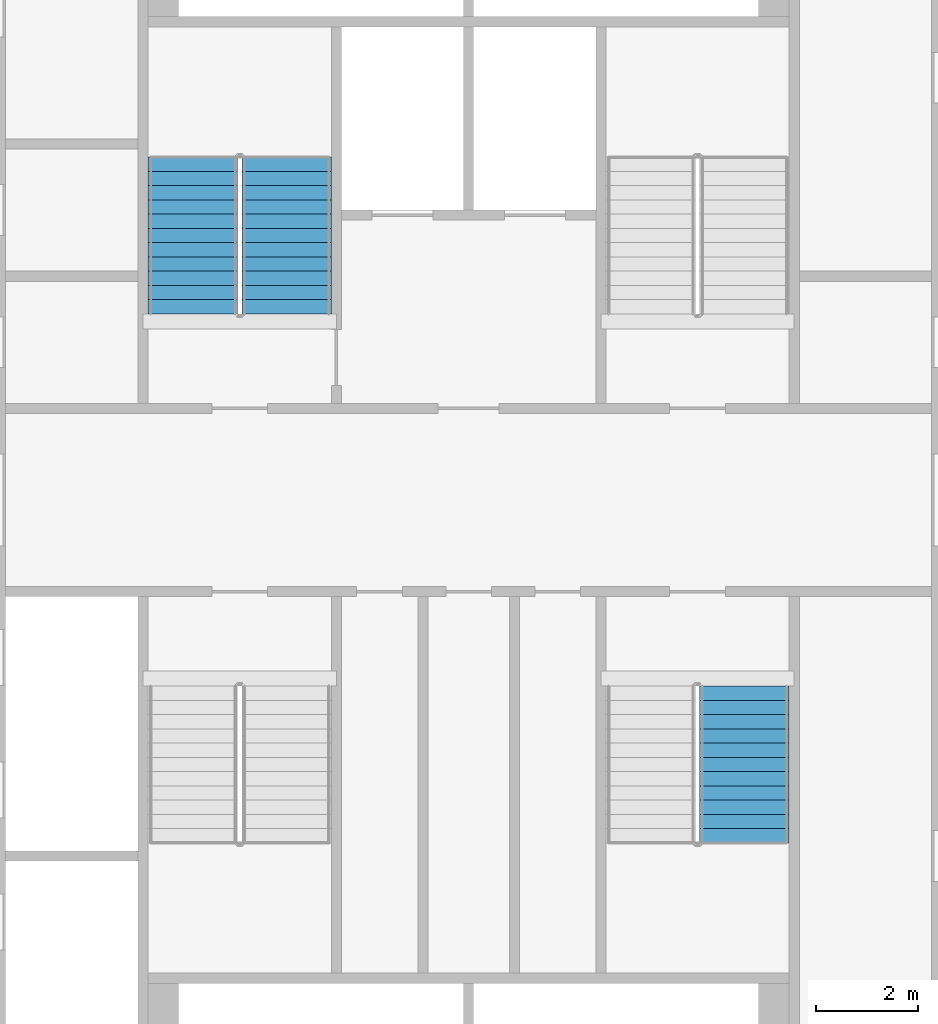
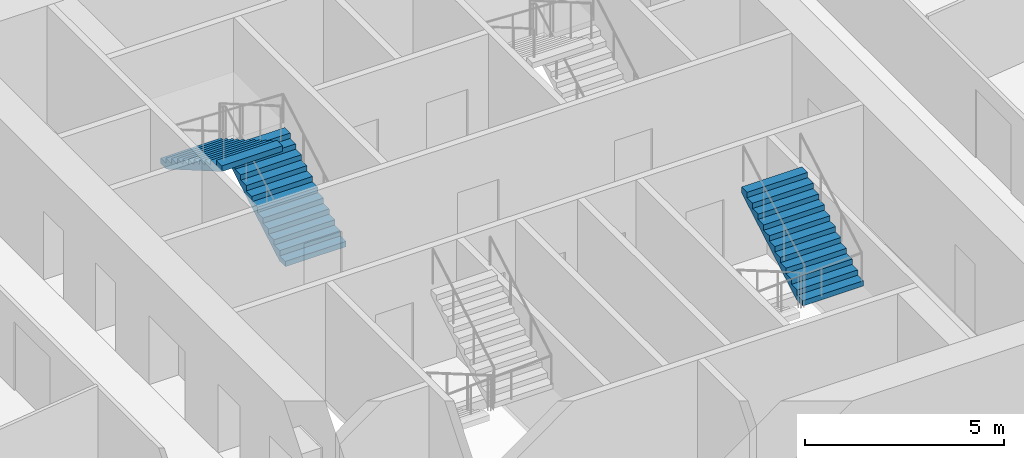
# One storey, part 9 of 12: 3 stair flights, 2 elements without a shape of their own.
"""IFC4 building model written with IfcOpenShell, lengths in metres."""

from ifc_helpers import new_model, si_unit, direction, frame, origin, place, context, subcontext, project, spatial, faceted_brep, material, type_object, element, aggregate, save


model = new_model("IFC4")

# Units and contexts
model_context = context("Model", 3, precision=1e-05, world=origin(), true_north=direction((0.0, 1.0)))
body_context = subcontext(model_context, "Body", "Model", "MODEL_VIEW")
ifc_project = project(units=[si_unit("LENGTHUNIT", "METRE"), si_unit("AREAUNIT", "SQUARE_METRE"), si_unit("VOLUMEUNIT", "CUBIC_METRE"), si_unit("PLANEANGLEUNIT", "RADIAN"), si_unit("MASSUNIT", "GRAM", prefix="KILO")], contexts=[model_context])

# Site, building, storey
site_placement = place(None, origin())
site = spatial("IfcSite", under=ifc_project, at=site_placement, CompositionType="ELEMENT")
building_placement = place(site_placement, origin())
building = spatial("IfcBuilding", under=site, at=building_placement, Name="Tarsis Ring Headquarters", CompositionType="ELEMENT")
storey_placement = place(building_placement, frame((0.0, 0.0, 82.89990234375)))
storey = spatial("IfcBuildingStorey", under=building, at=storey_placement, Name="L18", CompositionType="ELEMENT", Elevation=82.89990234375)

# Stair, stair flights
ifc_material_1 = material(Name="Core stair 1760")
stair_type = type_object("IfcStairType", Name="Core stair 1760", PredefinedType="HALF_TURN_STAIR", material=ifc_material_1)
stair_1_placement = place(storey_placement, origin())
stair_1 = element("IfcStair", 1, at=stair_1_placement, inside=storey, type_object=stair_type, Name="L18 Firefighting stair", PredefinedType="HALF_TURN_STAIR")
ifc_material_2 = material(Name="Concrete C40/50", Category="concrete")
stair_flight_type = type_object("IfcStairFlightType", Name="Core stair flight 1760", PredefinedType="STRAIGHT", material=ifc_material_2)
stair_flight_1_placement = place(storey_placement, frame((-3.580078125, 3.659912109375, 0.0), z_axis=(0.0, 0.0, 1.0), x_axis=(0.0, 1.0, 0.0)))
stair_flight_1 = element("IfcStairFlight", 2, at=stair_flight_1_placement, type_object=stair_flight_type, Name="Stair ST1 flight 1", NumberOfRisers=12, NumberOfTreads=11, PredefinedType="STRAIGHT", RiserHeight=0.1625, TreadLength=0.28, context=body_context, shape_type="Brep", body=[
    faceted_brep([(0.0, 0.8798828125, 0.0), (0.0, 0.8798828125, 0.16259765625), (0.280029296875, 0.8798828125, 0.16259765625), (0.280029296875, 0.8798828125, 0.324951171875), (0.56005859375, 0.8798828125, 0.324951171875), (0.56005859375, 0.8798828125, 0.487548828125), (0.840087890625, 0.8798828125, 0.487548828125), (0.840087890625, 0.8798828125, 0.64990234375), (1.1201171875, 0.8798828125, 0.64990234375), (1.1201171875, 0.8798828125, 0.8125), (1.39990234375, 0.8798828125, 0.8125), (1.39990234375, 0.8798828125, 0.97509765625), (1.679931640625, 0.8798828125, 0.97509765625), (1.679931640625, 0.8798828125, 1.137451171875), (1.9599609375, 0.8798828125, 1.137451171875), (1.9599609375, 0.8798828125, 1.300048828125), (2.239990234375, 0.8798828125, 1.300048828125), (2.239990234375, 0.8798828125, 1.46240234375), (2.52001953125, 0.8798828125, 1.46240234375), (2.52001953125, 0.8798828125, 1.625), (2.800048828125, 0.8798828125, 1.625), (2.800048828125, 0.8798828125, 1.78759765625), (3.080078125, 0.8798828125, 1.78759765625), (3.080078125, 0.8798828125, 1.6142578125), (0.298583984375, 0.8798828125, 0.0), (0.298583984375, -0.8798828125, 0.0), (3.080078125, -0.8798828125, 1.6142578125), (3.080078125, -0.8798828125, 1.78759765625), (2.800048828125, -0.8798828125, 1.78759765625), (2.800048828125, -0.8798828125, 1.625), (2.52001953125, -0.8798828125, 1.625), (2.52001953125, -0.8798828125, 1.46240234375), (2.239990234375, -0.8798828125, 1.46240234375), (2.239990234375, -0.8798828125, 1.300048828125), (1.9599609375, -0.8798828125, 1.300048828125), (1.9599609375, -0.8798828125, 1.137451171875), (1.679931640625, -0.8798828125, 1.137451171875), (1.679931640625, -0.8798828125, 0.97509765625), (1.39990234375, -0.8798828125, 0.97509765625), (1.39990234375, -0.8798828125, 0.8125), (1.1201171875, -0.8798828125, 0.8125), (1.1201171875, -0.8798828125, 0.64990234375), (0.840087890625, -0.8798828125, 0.64990234375), (0.840087890625, -0.8798828125, 0.487548828125), (0.56005859375, -0.8798828125, 0.487548828125), (0.56005859375, -0.8798828125, 0.324951171875), (0.280029296875, -0.8798828125, 0.324951171875), (0.280029296875, -0.8798828125, 0.16259765625), (0.0, -0.8798828125, 0.16259765625), (0.0, -0.8798828125, 0.0), (0.0, -0.43994140625, 0.16259765625), (0.0, -0.43994140625, 0.0), (0.0, 0.0, 0.16259765625), (0.0, 0.0, 0.0), (0.0, 0.43994140625, 0.16259765625), (0.0, 0.43994140625, 0.0), (0.280029296875, -0.43994140625, 0.16259765625), (0.280029296875, 0.0, 0.16259765625), (0.280029296875, 0.43994140625, 0.16259765625), (0.280029296875, -0.43994140625, 0.324951171875), (0.280029296875, 0.0, 0.324951171875), (0.280029296875, 0.43994140625, 0.324951171875), (0.56005859375, -0.43994140625, 0.324951171875), (0.56005859375, 0.0, 0.324951171875), (0.56005859375, 0.43994140625, 0.324951171875), (0.56005859375, -0.43994140625, 0.487548828125), (0.56005859375, 0.0, 0.487548828125), (0.56005859375, 0.43994140625, 0.487548828125), (0.840087890625, -0.43994140625, 0.487548828125), (0.840087890625, 0.0, 0.487548828125), (0.840087890625, 0.43994140625, 0.487548828125), (0.840087890625, -0.43994140625, 0.64990234375), (0.840087890625, 0.0, 0.64990234375), (0.840087890625, 0.43994140625, 0.64990234375), (1.1201171875, -0.43994140625, 0.64990234375), (1.1201171875, 0.0, 0.64990234375), (1.1201171875, 0.43994140625, 0.64990234375), (1.1201171875, -0.43994140625, 0.8125), (1.1201171875, 0.0, 0.8125), (1.1201171875, 0.43994140625, 0.8125), (1.39990234375, -0.43994140625, 0.8125), (1.39990234375, 0.0, 0.8125), (1.39990234375, 0.43994140625, 0.8125), (1.39990234375, -0.43994140625, 0.97509765625), (1.39990234375, 0.0, 0.97509765625), (1.39990234375, 0.43994140625, 0.97509765625), (1.679931640625, -0.43994140625, 0.97509765625), (1.679931640625, 0.0, 0.97509765625), (1.679931640625, 0.43994140625, 0.97509765625), (1.679931640625, -0.43994140625, 1.137451171875), (1.679931640625, 0.0, 1.137451171875), (1.679931640625, 0.43994140625, 1.137451171875), (1.9599609375, -0.43994140625, 1.137451171875), (1.9599609375, 0.0, 1.137451171875), (1.9599609375, 0.43994140625, 1.137451171875), (1.9599609375, -0.43994140625, 1.300048828125), (1.9599609375, 0.0, 1.300048828125), (1.9599609375, 0.43994140625, 1.300048828125), (2.239990234375, -0.43994140625, 1.300048828125), (2.239990234375, 0.0, 1.300048828125), (2.239990234375, 0.43994140625, 1.300048828125), (2.239990234375, -0.43994140625, 1.46240234375), (2.239990234375, 0.0, 1.46240234375), (2.239990234375, 0.43994140625, 1.46240234375), (2.52001953125, -0.43994140625, 1.46240234375), (2.52001953125, 0.0, 1.46240234375), (2.52001953125, 0.43994140625, 1.46240234375), (2.52001953125, -0.43994140625, 1.625), (2.52001953125, 0.0, 1.625), (2.52001953125, 0.43994140625, 1.625), (2.800048828125, -0.43994140625, 1.625), (2.800048828125, 0.0, 1.625), (2.800048828125, 0.43994140625, 1.625), (2.800048828125, -0.43994140625, 1.78759765625), (2.800048828125, 0.0, 1.78759765625), (2.800048828125, 0.43994140625, 1.78759765625), (3.080078125, -0.43994140625, 1.78759765625), (3.080078125, 0.0, 1.78759765625), (3.080078125, 0.43994140625, 1.78759765625), (3.080078125, -0.43994140625, 1.6142578125), (3.080078125, 0.0, 1.6142578125), (3.080078125, 0.43994140625, 1.6142578125), (0.298583984375, -0.43994140625, 0.0), (0.298583984375, 0.0, 0.0), (0.298583984375, 0.43994140625, 0.0)], [[[0, 1, 2, 3, 4, 5, 6, 7, 8, 9, 10, 11, 12, 13, 14, 15, 16, 17, 18, 19, 20, 21, 22, 23, 24]], [[25, 26, 27, 28, 29, 30, 31, 32, 33, 34, 35, 36, 37, 38, 39, 40, 41, 42, 43, 44, 45, 46, 47, 48, 49]], [[49, 48, 50, 51]], [[51, 50, 52, 53]], [[53, 52, 54, 55]], [[55, 54, 1, 0]], [[48, 47, 56, 50]], [[50, 56, 57, 52]], [[52, 57, 58, 54]], [[54, 58, 2, 1]], [[47, 46, 59, 56]], [[56, 59, 60, 57]], [[57, 60, 61, 58]], [[58, 61, 3, 2]], [[46, 45, 62, 59]], [[59, 62, 63, 60]], [[60, 63, 64, 61]], [[61, 64, 4, 3]], [[45, 44, 65, 62]], [[62, 65, 66, 63]], [[63, 66, 67, 64]], [[64, 67, 5, 4]], [[44, 43, 68, 65]], [[65, 68, 69, 66]], [[66, 69, 70, 67]], [[67, 70, 6, 5]], [[43, 42, 71, 68]], [[68, 71, 72, 69]], [[69, 72, 73, 70]], [[70, 73, 7, 6]], [[42, 41, 74, 71]], [[71, 74, 75, 72]], [[72, 75, 76, 73]], [[73, 76, 8, 7]], [[41, 40, 77, 74]], [[74, 77, 78, 75]], [[75, 78, 79, 76]], [[76, 79, 9, 8]], [[40, 39, 80, 77]], [[77, 80, 81, 78]], [[78, 81, 82, 79]], [[79, 82, 10, 9]], [[39, 38, 83, 80]], [[80, 83, 84, 81]], [[81, 84, 85, 82]], [[82, 85, 11, 10]], [[38, 37, 86, 83]], [[83, 86, 87, 84]], [[84, 87, 88, 85]], [[85, 88, 12, 11]], [[37, 36, 89, 86]], [[86, 89, 90, 87]], [[87, 90, 91, 88]], [[88, 91, 13, 12]], [[36, 35, 92, 89]], [[89, 92, 93, 90]], [[90, 93, 94, 91]], [[91, 94, 14, 13]], [[35, 34, 95, 92]], [[92, 95, 96, 93]], [[93, 96, 97, 94]], [[94, 97, 15, 14]], [[34, 33, 98, 95]], [[95, 98, 99, 96]], [[96, 99, 100, 97]], [[97, 100, 16, 15]], [[33, 32, 101, 98]], [[98, 101, 102, 99]], [[99, 102, 103, 100]], [[100, 103, 17, 16]], [[32, 31, 104, 101]], [[101, 104, 105, 102]], [[102, 105, 106, 103]], [[103, 106, 18, 17]], [[31, 30, 107, 104]], [[104, 107, 108, 105]], [[105, 108, 109, 106]], [[106, 109, 19, 18]], [[30, 29, 110, 107]], [[107, 110, 111, 108]], [[108, 111, 112, 109]], [[109, 112, 20, 19]], [[29, 28, 113, 110]], [[110, 113, 114, 111]], [[111, 114, 115, 112]], [[112, 115, 21, 20]], [[28, 27, 116, 113]], [[113, 116, 117, 114]], [[114, 117, 118, 115]], [[115, 118, 22, 21]], [[27, 26, 119, 116]], [[116, 119, 120, 117]], [[117, 120, 121, 118]], [[118, 121, 23, 22]], [[26, 25, 122, 119]], [[119, 122, 123, 120]], [[120, 123, 124, 121]], [[121, 124, 24, 23]], [[25, 49, 51, 122]], [[122, 51, 53, 123]], [[123, 53, 55, 124]], [[124, 55, 0, 24]]]),
])
stair_flight_2_placement = place(storey_placement, frame((-5.419921875, 6.739990234375, 1.9501953125), z_axis=(0.0, 0.0, 1.0), x_axis=(0.0, -1.0, 0.0)))
stair_flight_2 = element("IfcStairFlight", 3, at=stair_flight_2_placement, type_object=stair_flight_type, Name="Stair ST1 flight 2", NumberOfRisers=12, NumberOfTreads=11, PredefinedType="STRAIGHT", RiserHeight=0.1625, TreadLength=0.28, context=body_context, shape_type="Brep", body=[
    faceted_brep([(0.0, 0.8798828125, 0.0), (0.0, 0.8798828125, 0.16259765625), (0.280029296875, 0.8798828125, 0.16259765625), (0.280029296875, 0.8798828125, 0.324951171875), (0.56005859375, 0.8798828125, 0.324951171875), (0.56005859375, 0.8798828125, 0.487548828125), (0.840087890625, 0.8798828125, 0.487548828125), (0.840087890625, 0.8798828125, 0.64990234375), (1.1201171875, 0.8798828125, 0.64990234375), (1.1201171875, 0.8798828125, 0.8125), (1.39990234375, 0.8798828125, 0.8125), (1.39990234375, 0.8798828125, 0.97509765625), (1.679931640625, 0.8798828125, 0.97509765625), (1.679931640625, 0.8798828125, 1.137451171875), (1.9599609375, 0.8798828125, 1.137451171875), (1.9599609375, 0.8798828125, 1.300048828125), (2.239990234375, 0.8798828125, 1.300048828125), (2.239990234375, 0.8798828125, 1.46240234375), (2.52001953125, 0.8798828125, 1.46240234375), (2.52001953125, 0.8798828125, 1.625), (2.800048828125, 0.8798828125, 1.625), (2.800048828125, 0.8798828125, 1.78759765625), (3.080078125, 0.8798828125, 1.78759765625), (3.080078125, 0.8798828125, 1.6142578125), (0.298583984375, 0.8798828125, 0.0), (0.298583984375, -0.8798828125, 0.0), (3.080078125, -0.8798828125, 1.6142578125), (3.080078125, -0.8798828125, 1.78759765625), (2.800048828125, -0.8798828125, 1.78759765625), (2.800048828125, -0.8798828125, 1.625), (2.52001953125, -0.8798828125, 1.625), (2.52001953125, -0.8798828125, 1.46240234375), (2.239990234375, -0.8798828125, 1.46240234375), (2.239990234375, -0.8798828125, 1.300048828125), (1.9599609375, -0.8798828125, 1.300048828125), (1.9599609375, -0.8798828125, 1.137451171875), (1.679931640625, -0.8798828125, 1.137451171875), (1.679931640625, -0.8798828125, 0.97509765625), (1.39990234375, -0.8798828125, 0.97509765625), (1.39990234375, -0.8798828125, 0.8125), (1.1201171875, -0.8798828125, 0.8125), (1.1201171875, -0.8798828125, 0.64990234375), (0.840087890625, -0.8798828125, 0.64990234375), (0.840087890625, -0.8798828125, 0.487548828125), (0.56005859375, -0.8798828125, 0.487548828125), (0.56005859375, -0.8798828125, 0.324951171875), (0.280029296875, -0.8798828125, 0.324951171875), (0.280029296875, -0.8798828125, 0.16259765625), (0.0, -0.8798828125, 0.16259765625), (0.0, -0.8798828125, 0.0), (0.0, -0.43994140625, 0.16259765625), (0.0, -0.43994140625, 0.0), (0.0, 0.0, 0.16259765625), (0.0, 0.0, 0.0), (0.0, 0.43994140625, 0.16259765625), (0.0, 0.43994140625, 0.0), (0.280029296875, -0.43994140625, 0.16259765625), (0.280029296875, 0.0, 0.16259765625), (0.280029296875, 0.43994140625, 0.16259765625), (0.280029296875, -0.43994140625, 0.324951171875), (0.280029296875, 0.0, 0.324951171875), (0.280029296875, 0.43994140625, 0.324951171875), (0.56005859375, -0.43994140625, 0.324951171875), (0.56005859375, 0.0, 0.324951171875), (0.56005859375, 0.43994140625, 0.324951171875), (0.56005859375, -0.43994140625, 0.487548828125), (0.56005859375, 0.0, 0.487548828125), (0.56005859375, 0.43994140625, 0.487548828125), (0.840087890625, -0.43994140625, 0.487548828125), (0.840087890625, 0.0, 0.487548828125), (0.840087890625, 0.43994140625, 0.487548828125), (0.840087890625, -0.43994140625, 0.64990234375), (0.840087890625, 0.0, 0.64990234375), (0.840087890625, 0.43994140625, 0.64990234375), (1.1201171875, -0.43994140625, 0.64990234375), (1.1201171875, 0.0, 0.64990234375), (1.1201171875, 0.43994140625, 0.64990234375), (1.1201171875, -0.43994140625, 0.8125), (1.1201171875, 0.0, 0.8125), (1.1201171875, 0.43994140625, 0.8125), (1.39990234375, -0.43994140625, 0.8125), (1.39990234375, 0.0, 0.8125), (1.39990234375, 0.43994140625, 0.8125), (1.39990234375, -0.43994140625, 0.97509765625), (1.39990234375, 0.0, 0.97509765625), (1.39990234375, 0.43994140625, 0.97509765625), (1.679931640625, -0.43994140625, 0.97509765625), (1.679931640625, 0.0, 0.97509765625), (1.679931640625, 0.43994140625, 0.97509765625), (1.679931640625, -0.43994140625, 1.137451171875), (1.679931640625, 0.0, 1.137451171875), (1.679931640625, 0.43994140625, 1.137451171875), (1.9599609375, -0.43994140625, 1.137451171875), (1.9599609375, 0.0, 1.137451171875), (1.9599609375, 0.43994140625, 1.137451171875), (1.9599609375, -0.43994140625, 1.300048828125), (1.9599609375, 0.0, 1.300048828125), (1.9599609375, 0.43994140625, 1.300048828125), (2.239990234375, -0.43994140625, 1.300048828125), (2.239990234375, 0.0, 1.300048828125), (2.239990234375, 0.43994140625, 1.300048828125), (2.239990234375, -0.43994140625, 1.46240234375), (2.239990234375, 0.0, 1.46240234375), (2.239990234375, 0.43994140625, 1.46240234375), (2.52001953125, -0.43994140625, 1.46240234375), (2.52001953125, 0.0, 1.46240234375), (2.52001953125, 0.43994140625, 1.46240234375), (2.52001953125, -0.43994140625, 1.625), (2.52001953125, 0.0, 1.625), (2.52001953125, 0.43994140625, 1.625), (2.800048828125, -0.43994140625, 1.625), (2.800048828125, 0.0, 1.625), (2.800048828125, 0.43994140625, 1.625), (2.800048828125, -0.43994140625, 1.78759765625), (2.800048828125, 0.0, 1.78759765625), (2.800048828125, 0.43994140625, 1.78759765625), (3.080078125, -0.43994140625, 1.78759765625), (3.080078125, 0.0, 1.78759765625), (3.080078125, 0.43994140625, 1.78759765625), (3.080078125, -0.43994140625, 1.6142578125), (3.080078125, 0.0, 1.6142578125), (3.080078125, 0.43994140625, 1.6142578125), (0.298583984375, -0.43994140625, 0.0), (0.298583984375, 0.0, 0.0), (0.298583984375, 0.43994140625, 0.0)], [[[0, 1, 2, 3, 4, 5, 6, 7, 8, 9, 10, 11, 12, 13, 14, 15, 16, 17, 18, 19, 20, 21, 22, 23, 24]], [[25, 26, 27, 28, 29, 30, 31, 32, 33, 34, 35, 36, 37, 38, 39, 40, 41, 42, 43, 44, 45, 46, 47, 48, 49]], [[49, 48, 50, 51]], [[51, 50, 52, 53]], [[53, 52, 54, 55]], [[55, 54, 1, 0]], [[48, 47, 56, 50]], [[50, 56, 57, 52]], [[52, 57, 58, 54]], [[54, 58, 2, 1]], [[47, 46, 59, 56]], [[56, 59, 60, 57]], [[57, 60, 61, 58]], [[58, 61, 3, 2]], [[46, 45, 62, 59]], [[59, 62, 63, 60]], [[60, 63, 64, 61]], [[61, 64, 4, 3]], [[45, 44, 65, 62]], [[62, 65, 66, 63]], [[63, 66, 67, 64]], [[64, 67, 5, 4]], [[44, 43, 68, 65]], [[65, 68, 69, 66]], [[66, 69, 70, 67]], [[67, 70, 6, 5]], [[43, 42, 71, 68]], [[68, 71, 72, 69]], [[69, 72, 73, 70]], [[70, 73, 7, 6]], [[42, 41, 74, 71]], [[71, 74, 75, 72]], [[72, 75, 76, 73]], [[73, 76, 8, 7]], [[41, 40, 77, 74]], [[74, 77, 78, 75]], [[75, 78, 79, 76]], [[76, 79, 9, 8]], [[40, 39, 80, 77]], [[77, 80, 81, 78]], [[78, 81, 82, 79]], [[79, 82, 10, 9]], [[39, 38, 83, 80]], [[80, 83, 84, 81]], [[81, 84, 85, 82]], [[82, 85, 11, 10]], [[38, 37, 86, 83]], [[83, 86, 87, 84]], [[84, 87, 88, 85]], [[85, 88, 12, 11]], [[37, 36, 89, 86]], [[86, 89, 90, 87]], [[87, 90, 91, 88]], [[88, 91, 13, 12]], [[36, 35, 92, 89]], [[89, 92, 93, 90]], [[90, 93, 94, 91]], [[91, 94, 14, 13]], [[35, 34, 95, 92]], [[92, 95, 96, 93]], [[93, 96, 97, 94]], [[94, 97, 15, 14]], [[34, 33, 98, 95]], [[95, 98, 99, 96]], [[96, 99, 100, 97]], [[97, 100, 16, 15]], [[33, 32, 101, 98]], [[98, 101, 102, 99]], [[99, 102, 103, 100]], [[100, 103, 17, 16]], [[32, 31, 104, 101]], [[101, 104, 105, 102]], [[102, 105, 106, 103]], [[103, 106, 18, 17]], [[31, 30, 107, 104]], [[104, 107, 108, 105]], [[105, 108, 109, 106]], [[106, 109, 19, 18]], [[30, 29, 110, 107]], [[107, 110, 111, 108]], [[108, 111, 112, 109]], [[109, 112, 20, 19]], [[29, 28, 113, 110]], [[110, 113, 114, 111]], [[111, 114, 115, 112]], [[112, 115, 21, 20]], [[28, 27, 116, 113]], [[113, 116, 117, 114]], [[114, 117, 118, 115]], [[115, 118, 22, 21]], [[27, 26, 119, 116]], [[116, 119, 120, 117]], [[117, 120, 121, 118]], [[118, 121, 23, 22]], [[26, 25, 122, 119]], [[119, 122, 123, 120]], [[120, 123, 124, 121]], [[121, 124, 24, 23]], [[25, 49, 51, 122]], [[122, 51, 53, 123]], [[123, 53, 55, 124]], [[124, 55, 0, 24]]]),
])
aggregate(stair_1, [stair_flight_1, stair_flight_2])

# Stair, stair flight
stair_2_placement = place(storey_placement, origin())
stair_2 = element("IfcStair", 4, at=stair_2_placement, inside=storey, type_object=stair_type, Name="L18 Exit stair D", PredefinedType="HALF_TURN_STAIR")
stair_flight_3_placement = place(storey_placement, frame((5.419921875, -6.739990234375, 1.9501953125), z_axis=(0.0, 0.0, 1.0), x_axis=(0.0, 1.0, 0.0)))
stair_flight_3 = element("IfcStairFlight", 5, at=stair_flight_3_placement, type_object=stair_flight_type, Name="Stair ST4 flight 2", NumberOfRisers=12, NumberOfTreads=11, PredefinedType="STRAIGHT", RiserHeight=0.1625, TreadLength=0.28, context=body_context, shape_type="Brep", body=[
    faceted_brep([(0.0, 0.8798828125, 0.0), (0.0, 0.8798828125, 0.16259765625), (0.280029296875, 0.8798828125, 0.16259765625), (0.280029296875, 0.8798828125, 0.324951171875), (0.56005859375, 0.8798828125, 0.324951171875), (0.56005859375, 0.8798828125, 0.487548828125), (0.840087890625, 0.8798828125, 0.487548828125), (0.840087890625, 0.8798828125, 0.64990234375), (1.1201171875, 0.8798828125, 0.64990234375), (1.1201171875, 0.8798828125, 0.8125), (1.39990234375, 0.8798828125, 0.8125), (1.39990234375, 0.8798828125, 0.97509765625), (1.679931640625, 0.8798828125, 0.97509765625), (1.679931640625, 0.8798828125, 1.137451171875), (1.9599609375, 0.8798828125, 1.137451171875), (1.9599609375, 0.8798828125, 1.300048828125), (2.239990234375, 0.8798828125, 1.300048828125), (2.239990234375, 0.8798828125, 1.46240234375), (2.52001953125, 0.8798828125, 1.46240234375), (2.52001953125, 0.8798828125, 1.625), (2.800048828125, 0.8798828125, 1.625), (2.800048828125, 0.8798828125, 1.78759765625), (3.080078125, 0.8798828125, 1.78759765625), (3.080078125, 0.8798828125, 1.6142578125), (0.298583984375, 0.8798828125, 0.0), (0.298583984375, -0.8798828125, 0.0), (3.080078125, -0.8798828125, 1.6142578125), (3.080078125, -0.8798828125, 1.78759765625), (2.800048828125, -0.8798828125, 1.78759765625), (2.800048828125, -0.8798828125, 1.625), (2.52001953125, -0.8798828125, 1.625), (2.52001953125, -0.8798828125, 1.46240234375), (2.239990234375, -0.8798828125, 1.46240234375), (2.239990234375, -0.8798828125, 1.300048828125), (1.9599609375, -0.8798828125, 1.300048828125), (1.9599609375, -0.8798828125, 1.137451171875), (1.679931640625, -0.8798828125, 1.137451171875), (1.679931640625, -0.8798828125, 0.97509765625), (1.39990234375, -0.8798828125, 0.97509765625), (1.39990234375, -0.8798828125, 0.8125), (1.1201171875, -0.8798828125, 0.8125), (1.1201171875, -0.8798828125, 0.64990234375), (0.840087890625, -0.8798828125, 0.64990234375), (0.840087890625, -0.8798828125, 0.487548828125), (0.56005859375, -0.8798828125, 0.487548828125), (0.56005859375, -0.8798828125, 0.324951171875), (0.280029296875, -0.8798828125, 0.324951171875), (0.280029296875, -0.8798828125, 0.16259765625), (0.0, -0.8798828125, 0.16259765625), (0.0, -0.8798828125, 0.0), (0.0, -0.43994140625, 0.16259765625), (0.0, -0.43994140625, 0.0), (0.0, 0.0, 0.16259765625), (0.0, 0.0, 0.0), (0.0, 0.43994140625, 0.16259765625), (0.0, 0.43994140625, 0.0), (0.280029296875, -0.43994140625, 0.16259765625), (0.280029296875, 0.0, 0.16259765625), (0.280029296875, 0.43994140625, 0.16259765625), (0.280029296875, -0.43994140625, 0.324951171875), (0.280029296875, 0.0, 0.324951171875), (0.280029296875, 0.43994140625, 0.324951171875), (0.56005859375, -0.43994140625, 0.324951171875), (0.56005859375, 0.0, 0.324951171875), (0.56005859375, 0.43994140625, 0.324951171875), (0.56005859375, -0.43994140625, 0.487548828125), (0.56005859375, 0.0, 0.487548828125), (0.56005859375, 0.43994140625, 0.487548828125), (0.840087890625, -0.43994140625, 0.487548828125), (0.840087890625, 0.0, 0.487548828125), (0.840087890625, 0.43994140625, 0.487548828125), (0.840087890625, -0.43994140625, 0.64990234375), (0.840087890625, 0.0, 0.64990234375), (0.840087890625, 0.43994140625, 0.64990234375), (1.1201171875, -0.43994140625, 0.64990234375), (1.1201171875, 0.0, 0.64990234375), (1.1201171875, 0.43994140625, 0.64990234375), (1.1201171875, -0.43994140625, 0.8125), (1.1201171875, 0.0, 0.8125), (1.1201171875, 0.43994140625, 0.8125), (1.39990234375, -0.43994140625, 0.8125), (1.39990234375, 0.0, 0.8125), (1.39990234375, 0.43994140625, 0.8125), (1.39990234375, -0.43994140625, 0.97509765625), (1.39990234375, 0.0, 0.97509765625), (1.39990234375, 0.43994140625, 0.97509765625), (1.679931640625, -0.43994140625, 0.97509765625), (1.679931640625, 0.0, 0.97509765625), (1.679931640625, 0.43994140625, 0.97509765625), (1.679931640625, -0.43994140625, 1.137451171875), (1.679931640625, 0.0, 1.137451171875), (1.679931640625, 0.43994140625, 1.137451171875), (1.9599609375, -0.43994140625, 1.137451171875), (1.9599609375, 0.0, 1.137451171875), (1.9599609375, 0.43994140625, 1.137451171875), (1.9599609375, -0.43994140625, 1.300048828125), (1.9599609375, 0.0, 1.300048828125), (1.9599609375, 0.43994140625, 1.300048828125), (2.239990234375, -0.43994140625, 1.300048828125), (2.239990234375, 0.0, 1.300048828125), (2.239990234375, 0.43994140625, 1.300048828125), (2.239990234375, -0.43994140625, 1.46240234375), (2.239990234375, 0.0, 1.46240234375), (2.239990234375, 0.43994140625, 1.46240234375), (2.52001953125, -0.43994140625, 1.46240234375), (2.52001953125, 0.0, 1.46240234375), (2.52001953125, 0.43994140625, 1.46240234375), (2.52001953125, -0.43994140625, 1.625), (2.52001953125, 0.0, 1.625), (2.52001953125, 0.43994140625, 1.625), (2.800048828125, -0.43994140625, 1.625), (2.800048828125, 0.0, 1.625), (2.800048828125, 0.43994140625, 1.625), (2.800048828125, -0.43994140625, 1.78759765625), (2.800048828125, 0.0, 1.78759765625), (2.800048828125, 0.43994140625, 1.78759765625), (3.080078125, -0.43994140625, 1.78759765625), (3.080078125, 0.0, 1.78759765625), (3.080078125, 0.43994140625, 1.78759765625), (3.080078125, -0.43994140625, 1.6142578125), (3.080078125, 0.0, 1.6142578125), (3.080078125, 0.43994140625, 1.6142578125), (0.298583984375, -0.43994140625, 0.0), (0.298583984375, 0.0, 0.0), (0.298583984375, 0.43994140625, 0.0)], [[[0, 1, 2, 3, 4, 5, 6, 7, 8, 9, 10, 11, 12, 13, 14, 15, 16, 17, 18, 19, 20, 21, 22, 23, 24]], [[25, 26, 27, 28, 29, 30, 31, 32, 33, 34, 35, 36, 37, 38, 39, 40, 41, 42, 43, 44, 45, 46, 47, 48, 49]], [[49, 48, 50, 51]], [[51, 50, 52, 53]], [[53, 52, 54, 55]], [[55, 54, 1, 0]], [[48, 47, 56, 50]], [[50, 56, 57, 52]], [[52, 57, 58, 54]], [[54, 58, 2, 1]], [[47, 46, 59, 56]], [[56, 59, 60, 57]], [[57, 60, 61, 58]], [[58, 61, 3, 2]], [[46, 45, 62, 59]], [[59, 62, 63, 60]], [[60, 63, 64, 61]], [[61, 64, 4, 3]], [[45, 44, 65, 62]], [[62, 65, 66, 63]], [[63, 66, 67, 64]], [[64, 67, 5, 4]], [[44, 43, 68, 65]], [[65, 68, 69, 66]], [[66, 69, 70, 67]], [[67, 70, 6, 5]], [[43, 42, 71, 68]], [[68, 71, 72, 69]], [[69, 72, 73, 70]], [[70, 73, 7, 6]], [[42, 41, 74, 71]], [[71, 74, 75, 72]], [[72, 75, 76, 73]], [[73, 76, 8, 7]], [[41, 40, 77, 74]], [[74, 77, 78, 75]], [[75, 78, 79, 76]], [[76, 79, 9, 8]], [[40, 39, 80, 77]], [[77, 80, 81, 78]], [[78, 81, 82, 79]], [[79, 82, 10, 9]], [[39, 38, 83, 80]], [[80, 83, 84, 81]], [[81, 84, 85, 82]], [[82, 85, 11, 10]], [[38, 37, 86, 83]], [[83, 86, 87, 84]], [[84, 87, 88, 85]], [[85, 88, 12, 11]], [[37, 36, 89, 86]], [[86, 89, 90, 87]], [[87, 90, 91, 88]], [[88, 91, 13, 12]], [[36, 35, 92, 89]], [[89, 92, 93, 90]], [[90, 93, 94, 91]], [[91, 94, 14, 13]], [[35, 34, 95, 92]], [[92, 95, 96, 93]], [[93, 96, 97, 94]], [[94, 97, 15, 14]], [[34, 33, 98, 95]], [[95, 98, 99, 96]], [[96, 99, 100, 97]], [[97, 100, 16, 15]], [[33, 32, 101, 98]], [[98, 101, 102, 99]], [[99, 102, 103, 100]], [[100, 103, 17, 16]], [[32, 31, 104, 101]], [[101, 104, 105, 102]], [[102, 105, 106, 103]], [[103, 106, 18, 17]], [[31, 30, 107, 104]], [[104, 107, 108, 105]], [[105, 108, 109, 106]], [[106, 109, 19, 18]], [[30, 29, 110, 107]], [[107, 110, 111, 108]], [[108, 111, 112, 109]], [[109, 112, 20, 19]], [[29, 28, 113, 110]], [[110, 113, 114, 111]], [[111, 114, 115, 112]], [[112, 115, 21, 20]], [[28, 27, 116, 113]], [[113, 116, 117, 114]], [[114, 117, 118, 115]], [[115, 118, 22, 21]], [[27, 26, 119, 116]], [[116, 119, 120, 117]], [[117, 120, 121, 118]], [[118, 121, 23, 22]], [[26, 25, 122, 119]], [[119, 122, 123, 120]], [[120, 123, 124, 121]], [[121, 124, 24, 23]], [[25, 49, 51, 122]], [[122, 51, 53, 123]], [[123, 53, 55, 124]], [[124, 55, 0, 24]]]),
])
aggregate(stair_2, [stair_flight_3])

save(model, "model.ifc")
